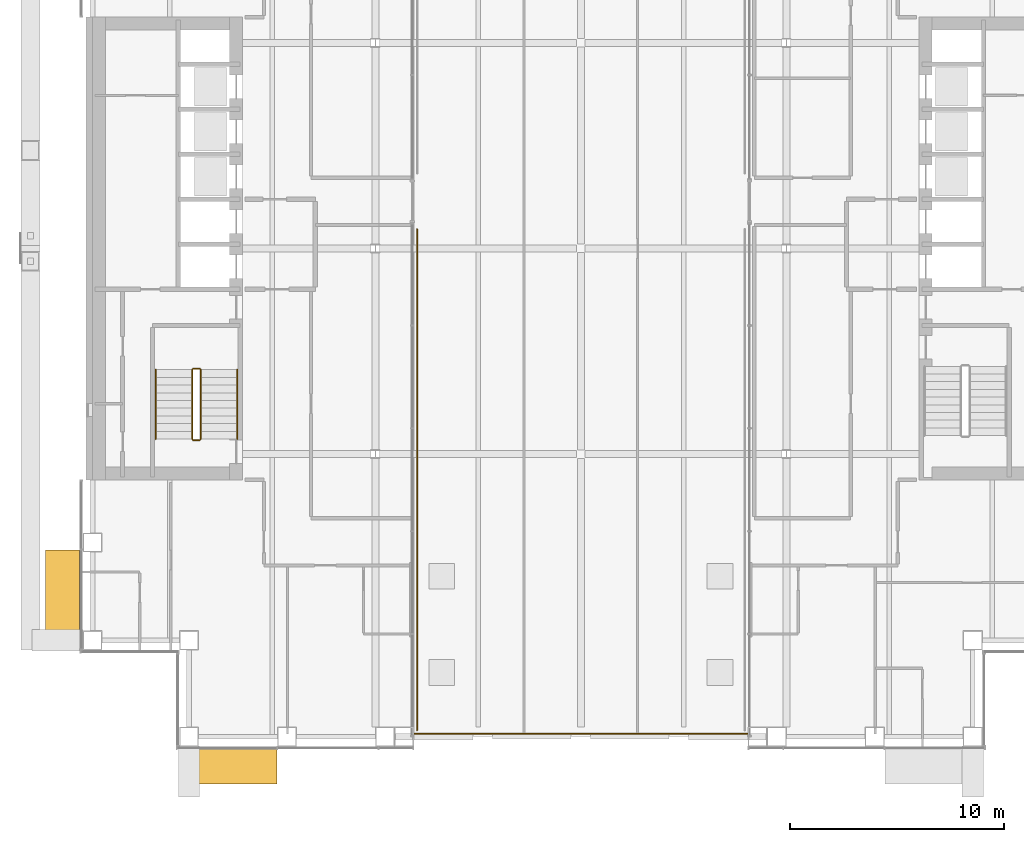
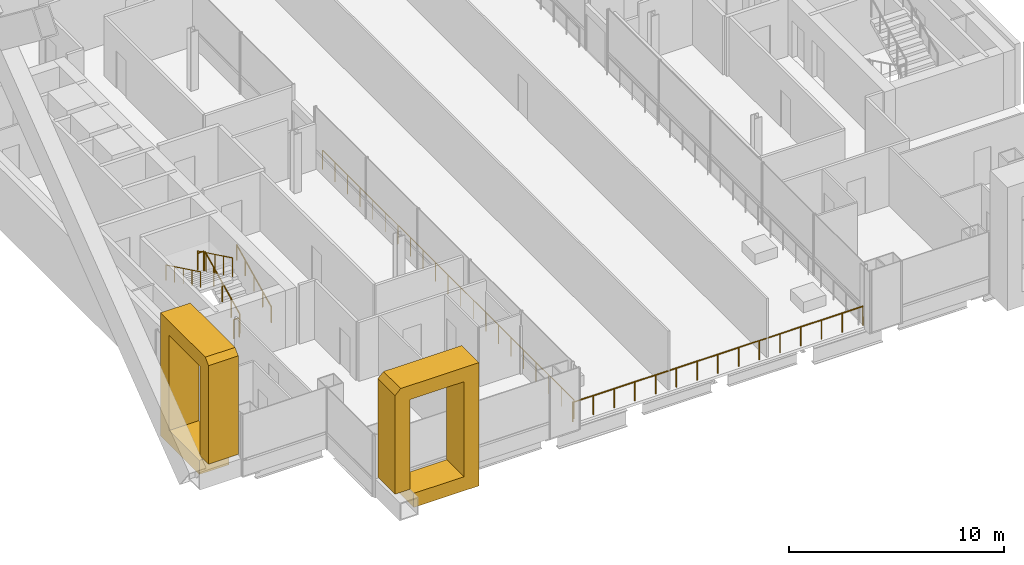
# One storey, part 17 of 20: 8 railings, 2 coverings.
"""IFC4 building model written with IfcOpenShell, lengths in metres."""

from ifc_helpers import new_model, si_unit, direction, frame, origin, origin_2d, place, context, subcontext, project, spatial, polyline, circle, outline, extrude, material, type_object, element, save


model = new_model("IFC4")

# Units and contexts
model_context = context("Model", 3, precision=1e-05, world=origin(), true_north=direction((0.0, 1.0)))
body_context = subcontext(model_context, "Body", "Model", "MODEL_VIEW")
ifc_project = project(units=[si_unit("LENGTHUNIT", "METRE"), si_unit("AREAUNIT", "SQUARE_METRE"), si_unit("VOLUMEUNIT", "CUBIC_METRE"), si_unit("PLANEANGLEUNIT", "RADIAN"), si_unit("MASSUNIT", "GRAM", prefix="KILO")], contexts=[model_context])

# Site, building, storey
site_placement = place(None, origin())
site = spatial("IfcSite", under=ifc_project, at=site_placement, CompositionType="ELEMENT")
building_placement = place(site_placement, origin())
building = spatial("IfcBuilding", under=site, at=building_placement, Name="Cobrizo Arcos Hotel Tower", CompositionType="ELEMENT")
storey_placement = place(building_placement, frame((0.0, 0.0, 117.0)))
storey = spatial("IfcBuildingStorey", under=building, at=storey_placement, Name="L29", CompositionType="ELEMENT", Elevation=117.0)

# Coverings
ifc_material_1 = material(Name="Aluminium 6063-T6 anodised bronze", Category="aluminium")
covering_type = type_object("IfcCoveringType", Name="FIN-F 1600", PredefinedType="CLADDING", material=ifc_material_1)
covering_1_placement = place(storey_placement, frame((-18.699951171875, -23.39990234375, 0.0), z_axis=(0.0, -1.0, 0.0), x_axis=(1.0, 0.0, 0.0)))
element("IfcCovering", 1, at=covering_1_placement, inside=storey, type_object=covering_type, Name="Fin frame 143", PredefinedType="CLADDING", context=body_context, shape_type="SweptSolid", body=[
    extrude(outline(polyline([(0.0, 6.699951171875), (0.0, 1.10205078125), (0.800048828125, 1.10205078125), (0.800048828125, 6.199951171875), (3.699951171875, 6.199951171875), (3.699951171875, 0.800048828125), (1.001953125, 0.800048828125), (1.001953125, 0.0), (4.5, 0.0), (4.5, 7.0), (0.300048828125, 7.0), (0.0, 6.699951171875)])), origin(), (0.0, 0.0, 1.0), 1.60009765625),
])
covering_2_placement = place(storey_placement, frame((-23.39990234375, -14.08740234375, 0.0), z_axis=(-1.0, 0.0, 0.0), x_axis=(0.0, -1.0, 0.0)))
element("IfcCovering", 2, at=covering_2_placement, inside=storey, type_object=covering_type, Name="Fin frame 165", PredefinedType="CLADDING", context=body_context, shape_type="SweptSolid", body=[
    extrude(outline(polyline([(0.0, 0.0), (3.610595703125, 0.0), (3.610595703125, 0.800048828125), (0.800048828125, 0.800048828125), (0.800048828125, 6.199951171875), (3.66259765625, 6.199951171875), (3.66259765625, 1.10205078125), (4.46240234375, 1.10205078125), (4.46240234375, 6.699951171875), (4.16259765625, 7.0), (0.0, 7.0), (0.0, 0.0)])), origin(), (0.0, 0.0, 1.0), 1.60009765625),
])

# Railings
ifc_material_2 = material(Name="Stainless steel railing", Category="steel")
railing_type_1 = type_object("IfcRailingType", Name="Garden deck guard 1100", PredefinedType="GUARDRAIL", material=ifc_material_2)
railing_1_placement = place(storey_placement, frame((-7.800048828125, -22.64990234375, 0.0)))
element("IfcRailing", 3, at=railing_1_placement, inside=storey, type_object=railing_type_1, Name="Garden deck south guard", PredefinedType="GUARDRAIL", context=body_context, shape_type="SweptSolid", body=[
    extrude(circle(Radius=0.02392578125, at=origin_2d()), frame((0.0, 0.0, 1.076171875), z_axis=(1.0, 0.0, 0.0), x_axis=(0.0, 1.0, 0.0)), (0.0, 0.0, 1.0), 15.60009765625),
    extrude(circle(Radius=0.02099609375, at=origin_2d()), origin(), (0.0, 0.0, 1.0), 1.052001953125),
    extrude(circle(Radius=0.02099609375, at=origin_2d()), frame((1.1142578125, 0.0, 0.0)), (0.0, 0.0, 1.0), 1.052001953125),
    extrude(circle(Radius=0.02099609375, at=origin_2d()), frame((2.228515625, 0.0, 0.0)), (0.0, 0.0, 1.0), 1.052001953125),
    extrude(circle(Radius=0.02099609375, at=origin_2d()), frame((3.3427734375, 0.0, 0.0)), (0.0, 0.0, 1.0), 1.052001953125),
    extrude(circle(Radius=0.02099609375, at=origin_2d()), frame((4.457275390625, 0.0, 0.0)), (0.0, 0.0, 1.0), 1.052001953125),
    extrude(circle(Radius=0.02099609375, at=origin_2d()), frame((5.571533203125, 0.0, 0.0)), (0.0, 0.0, 1.0), 1.052001953125),
    extrude(circle(Radius=0.02099609375, at=origin_2d()), frame((6.685791015625, 0.0, 0.0)), (0.0, 0.0, 1.0), 1.052001953125),
    extrude(circle(Radius=0.02099609375, at=origin_2d()), frame((7.800048828125, 0.0, 0.0)), (0.0, 0.0, 1.0), 1.052001953125),
    extrude(circle(Radius=0.02099609375, at=origin_2d()), frame((8.914306640625, 0.0, 0.0)), (0.0, 0.0, 1.0), 1.052001953125),
    extrude(circle(Radius=0.02099609375, at=origin_2d()), frame((10.028564453125, 0.0, 0.0)), (0.0, 0.0, 1.0), 1.052001953125),
    extrude(circle(Radius=0.02099609375, at=origin_2d()), frame((11.142822265625, 0.0, 0.0)), (0.0, 0.0, 1.0), 1.052001953125),
    extrude(circle(Radius=0.02099609375, at=origin_2d()), frame((12.25732421875, 0.0, 0.0)), (0.0, 0.0, 1.0), 1.052001953125),
    extrude(circle(Radius=0.02099609375, at=origin_2d()), frame((13.37158203125, 0.0, 0.0)), (0.0, 0.0, 1.0), 1.052001953125),
    extrude(circle(Radius=0.02099609375, at=origin_2d()), frame((14.48583984375, 0.0, 0.0)), (0.0, 0.0, 1.0), 1.052001953125),
    extrude(circle(Radius=0.02099609375, at=origin_2d()), frame((15.60009765625, 0.0, 0.0)), (0.0, 0.0, 1.0), 1.052001953125),
])
railing_2_placement = place(storey_placement, frame((-7.64990234375, -22.5, 0.0)))
element("IfcRailing", 4, at=railing_2_placement, inside=storey, type_object=railing_type_1, Name="Garden deck west guard", PredefinedType="GUARDRAIL", context=body_context, shape_type="SweptSolid", body=[
    extrude(circle(Radius=0.02392578125, at=origin_2d()), frame((0.0, 0.0, 1.076171875), z_axis=(0.0, 1.0, 0.0), x_axis=(-1.0, 0.0, 0.0)), (0.0, 0.0, 1.0), 23.39990234375),
    extrude(circle(Radius=0.02099609375, at=origin_2d()), origin(), (0.0, 0.0, 1.0), 1.052001953125),
    extrude(circle(Radius=0.02099609375, at=origin_2d()), frame((0.0, 1.169921875, 0.0)), (0.0, 0.0, 1.0), 1.052001953125),
    extrude(circle(Radius=0.02099609375, at=origin_2d()), frame((0.0, 2.340087890625, 0.0)), (0.0, 0.0, 1.0), 1.052001953125),
    extrude(circle(Radius=0.02099609375, at=origin_2d()), frame((0.0, 3.510009765625, 0.0)), (0.0, 0.0, 1.0), 1.052001953125),
    extrude(circle(Radius=0.02099609375, at=origin_2d()), frame((0.0, 4.679931640625, 0.0)), (0.0, 0.0, 1.0), 1.052001953125),
    extrude(circle(Radius=0.02099609375, at=origin_2d()), frame((0.0, 5.85009765625, 0.0)), (0.0, 0.0, 1.0), 1.052001953125),
    extrude(circle(Radius=0.02099609375, at=origin_2d()), frame((0.0, 7.02001953125, 0.0)), (0.0, 0.0, 1.0), 1.052001953125),
    extrude(circle(Radius=0.02099609375, at=origin_2d()), frame((0.0, 8.18994140625, 0.0)), (0.0, 0.0, 1.0), 1.052001953125),
    extrude(circle(Radius=0.02099609375, at=origin_2d()), frame((0.0, 9.35986328125, 0.0)), (0.0, 0.0, 1.0), 1.052001953125),
    extrude(circle(Radius=0.02099609375, at=origin_2d()), frame((0.0, 10.530029296875, 0.0)), (0.0, 0.0, 1.0), 1.052001953125),
    extrude(circle(Radius=0.02099609375, at=origin_2d()), frame((0.0, 11.699951171875, 0.0)), (0.0, 0.0, 1.0), 1.052001953125),
    extrude(circle(Radius=0.02099609375, at=origin_2d()), frame((0.0, 12.869873046875, 0.0)), (0.0, 0.0, 1.0), 1.052001953125),
    extrude(circle(Radius=0.02099609375, at=origin_2d()), frame((0.0, 14.0400390625, 0.0)), (0.0, 0.0, 1.0), 1.052001953125),
    extrude(circle(Radius=0.02099609375, at=origin_2d()), frame((0.0, 15.2099609375, 0.0)), (0.0, 0.0, 1.0), 1.052001953125),
    extrude(circle(Radius=0.02099609375, at=origin_2d()), frame((0.0, 16.3798828125, 0.0)), (0.0, 0.0, 1.0), 1.052001953125),
    extrude(circle(Radius=0.02099609375, at=origin_2d()), frame((0.0, 17.5498046875, 0.0)), (0.0, 0.0, 1.0), 1.052001953125),
    extrude(circle(Radius=0.02099609375, at=origin_2d()), frame((0.0, 18.719970703125, 0.0)), (0.0, 0.0, 1.0), 1.052001953125),
    extrude(circle(Radius=0.02099609375, at=origin_2d()), frame((0.0, 19.889892578125, 0.0)), (0.0, 0.0, 1.0), 1.052001953125),
    extrude(circle(Radius=0.02099609375, at=origin_2d()), frame((0.0, 21.059814453125, 0.0)), (0.0, 0.0, 1.0), 1.052001953125),
    extrude(circle(Radius=0.02099609375, at=origin_2d()), frame((0.0, 22.22998046875, 0.0)), (0.0, 0.0, 1.0), 1.052001953125),
    extrude(circle(Radius=0.02099609375, at=origin_2d()), frame((0.0, 23.39990234375, 0.0)), (0.0, 0.0, 1.0), 1.052001953125),
])
railing_type_2 = type_object("IfcRailingType", Name="Stair guard 1100", PredefinedType="GUARDRAIL", material=ifc_material_2)
railing_3_placement = place(storey_placement, frame((-17.75, -8.89990234375, 0.175048828125)))
element("IfcRailing", 5, at=railing_3_placement, inside=storey, type_object=railing_type_2, Name="L29 ST-W stair guard 1", PredefinedType="GUARDRAIL", context=body_context, shape_type="SweptSolid", body=[
    extrude(circle(Radius=0.02392578125, at=origin_2d()), frame((0.0, 0.0, 1.076171875), z_axis=(0.0, 0.899372665325, 0.437182809435), x_axis=(-1.0, 0.0, 0.0)), (0.0, 0.0, 1.0), 3.6025390625),
    extrude(circle(Radius=0.02099609375, at=origin_2d()), origin(), (0.0, 0.0, 1.0), 1.052001953125),
    extrude(circle(Radius=0.02099609375, at=origin_2d()), frame((0.0, 0.81005859375, 0.393798828125)), (0.0, 0.0, 1.0), 1.052001953125),
    extrude(circle(Radius=0.02099609375, at=origin_2d()), frame((0.0, 1.6201171875, 0.78759765625)), (0.0, 0.0, 1.0), 1.052001953125),
    extrude(circle(Radius=0.02099609375, at=origin_2d()), frame((0.0, 2.429931640625, 1.18115234375)), (0.0, 0.0, 1.0), 1.052001953125),
    extrude(circle(Radius=0.02099609375, at=origin_2d()), frame((0.0, 3.239990234375, 1.574951171875)), (0.0, 0.0, 1.0), 1.052001953125),
])
railing_4_placement = place(storey_placement, frame((-17.800048828125, -5.610107421875, 1.75)))
element("IfcRailing", 6, at=railing_4_placement, inside=storey, type_object=railing_type_2, Name="L29 ST-W stair guard 2", PredefinedType="GUARDRAIL", context=body_context, shape_type="SweptSolid", body=[
    extrude(circle(Radius=0.02392578125, at=origin_2d()), frame((0.0, 0.0, 1.076171875), z_axis=(-1.0, 0.0, 0.0), x_axis=(0.0, -1.0, 0.0)), (0.0, 0.0, 1.0), 0.300048828125),
    extrude(circle(Radius=0.02099609375, at=origin_2d()), origin(), (0.0, 0.0, 1.0), 1.052001953125),
    extrude(circle(Radius=0.02099609375, at=origin_2d()), frame((-0.300048828125, 0.0, 0.0)), (0.0, 0.0, 1.0), 1.052001953125),
])
railing_5_placement = place(storey_placement, frame((-18.14990234375, -5.659912109375, 1.925048828125)))
element("IfcRailing", 7, at=railing_5_placement, inside=storey, type_object=railing_type_2, Name="L29 ST-W stair guard 3", PredefinedType="GUARDRAIL", context=body_context, shape_type="SweptSolid", body=[
    extrude(circle(Radius=0.02392578125, at=origin_2d()), frame((0.0, 0.0, 1.076171875), z_axis=(0.0, -0.899372665325, 0.437182809435), x_axis=(1.0, 0.0, 0.0)), (0.0, 0.0, 1.0), 3.6025390625),
    extrude(circle(Radius=0.02099609375, at=origin_2d()), origin(), (0.0, 0.0, 1.0), 1.052001953125),
    extrude(circle(Radius=0.02099609375, at=origin_2d()), frame((0.0, -0.81005859375, 0.393798828125)), (0.0, 0.0, 1.0), 1.052001953125),
    extrude(circle(Radius=0.02099609375, at=origin_2d()), frame((0.0, -1.6201171875, 0.78759765625)), (0.0, 0.0, 1.0), 1.052001953125),
    extrude(circle(Radius=0.02099609375, at=origin_2d()), frame((0.0, -2.429931640625, 1.18115234375)), (0.0, 0.0, 1.0), 1.052001953125),
    extrude(circle(Radius=0.02099609375, at=origin_2d()), frame((0.0, -3.239990234375, 1.574951171875)), (0.0, 0.0, 1.0), 1.052001953125),
])
railing_6_placement = place(storey_placement, frame((-17.800048828125, -8.949951171875, 0.0)))
element("IfcRailing", 8, at=railing_6_placement, inside=storey, type_object=railing_type_2, Name="L29 ST-W stair guard 4", PredefinedType="GUARDRAIL", context=body_context, shape_type="SweptSolid", body=[
    extrude(circle(Radius=0.02392578125, at=origin_2d()), frame((0.0, 0.0, 1.076171875), z_axis=(-1.0, 0.0, 0.0), x_axis=(0.0, -1.0, 0.0)), (0.0, 0.0, 1.0), 0.300048828125),
    extrude(circle(Radius=0.02099609375, at=origin_2d()), origin(), (0.0, 0.0, 1.0), 1.052001953125),
    extrude(circle(Radius=0.02099609375, at=origin_2d()), frame((-0.300048828125, 0.0, 0.0)), (0.0, 0.0, 1.0), 1.052001953125),
])
railing_type_3 = type_object("IfcRailingType", Name="Stair handrail", PredefinedType="HANDRAIL", material=ifc_material_2)
railing_7_placement = place(storey_placement, frame((-16.050048828125, -8.89990234375, 0.175048828125)))
element("IfcRailing", 9, at=railing_7_placement, inside=storey, type_object=railing_type_3, Name="L29 ST-W stair handrail 1", PredefinedType="HANDRAIL", context=body_context, shape_type="SweptSolid", body=[
    extrude(circle(Radius=0.02392578125, at=origin_2d()), frame((0.0, 0.0, 0.8759765625), z_axis=(0.0, 0.899372665325, 0.437182809435), x_axis=(-1.0, 0.0, 0.0)), (0.0, 0.0, 1.0), 3.6025390625),
    extrude(circle(Radius=0.02099609375, at=origin_2d()), origin(), (0.0, 0.0, 1.0), 0.851806640625),
    extrude(circle(Radius=0.02099609375, at=origin_2d()), frame((0.0, 0.81005859375, 0.393798828125)), (0.0, 0.0, 1.0), 0.851806640625),
    extrude(circle(Radius=0.02099609375, at=origin_2d()), frame((0.0, 1.6201171875, 0.78759765625)), (0.0, 0.0, 1.0), 0.851806640625),
    extrude(circle(Radius=0.02099609375, at=origin_2d()), frame((0.0, 2.429931640625, 1.18115234375)), (0.0, 0.0, 1.0), 0.851806640625),
    extrude(circle(Radius=0.02099609375, at=origin_2d()), frame((0.0, 3.239990234375, 1.574951171875)), (0.0, 0.0, 1.0), 0.851806640625),
])
railing_8_placement = place(storey_placement, frame((-19.85009765625, -5.659912109375, 1.925048828125)))
element("IfcRailing", 10, at=railing_8_placement, inside=storey, type_object=railing_type_3, Name="L29 ST-W stair handrail 2", PredefinedType="HANDRAIL", context=body_context, shape_type="SweptSolid", body=[
    extrude(circle(Radius=0.02392578125, at=origin_2d()), frame((0.0, 0.0, 0.8759765625), z_axis=(0.0, -0.899372665325, 0.437182809435), x_axis=(1.0, 0.0, 0.0)), (0.0, 0.0, 1.0), 3.6025390625),
    extrude(circle(Radius=0.02099609375, at=origin_2d()), origin(), (0.0, 0.0, 1.0), 0.851806640625),
    extrude(circle(Radius=0.02099609375, at=origin_2d()), frame((0.0, -0.81005859375, 0.393798828125)), (0.0, 0.0, 1.0), 0.851806640625),
    extrude(circle(Radius=0.02099609375, at=origin_2d()), frame((0.0, -1.6201171875, 0.78759765625)), (0.0, 0.0, 1.0), 0.851806640625),
    extrude(circle(Radius=0.02099609375, at=origin_2d()), frame((0.0, -2.429931640625, 1.18115234375)), (0.0, 0.0, 1.0), 0.851806640625),
    extrude(circle(Radius=0.02099609375, at=origin_2d()), frame((0.0, -3.239990234375, 1.574951171875)), (0.0, 0.0, 1.0), 0.851806640625),
])

save(model, "model.ifc")
